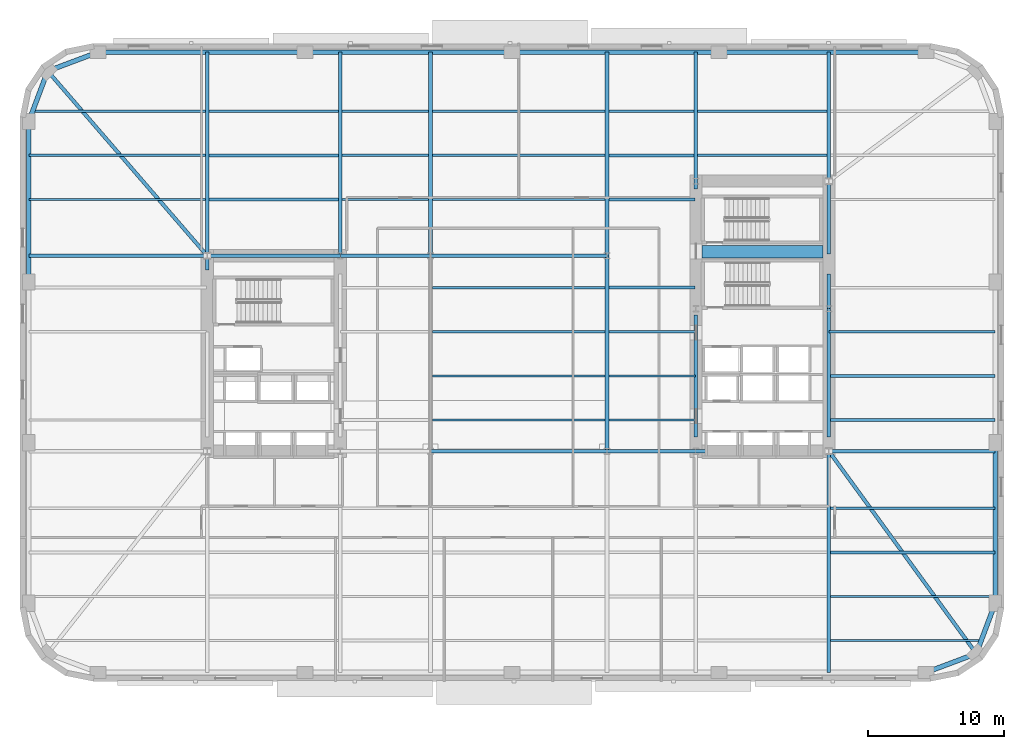
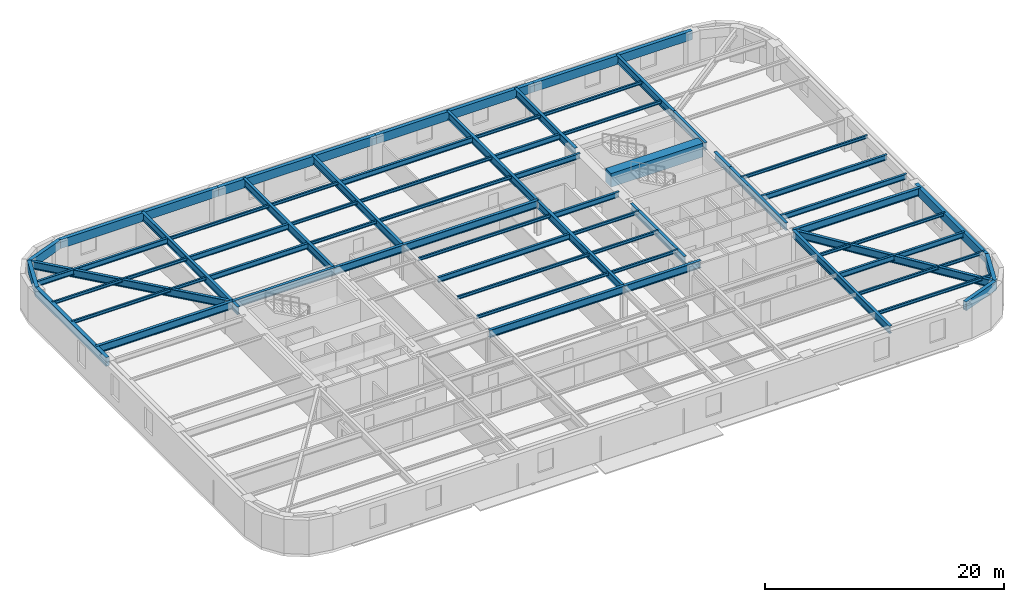
# One storey, part 2 of 14: 64 beams.
"""IFC4 building model written with IfcOpenShell, lengths in metres."""

from ifc_helpers import new_model, si_unit, direction, frame, origin, origin_2d, place, context, subcontext, project, spatial, rectangle, hollow_rectangle, i_section, extrude, material, material_profile, profile_set, type_object, element, save


model = new_model("IFC4")

# Units and contexts
model_context = context("Model", 3, precision=1e-05, world=origin(), true_north=direction((0.0, 1.0)))
body_context = subcontext(model_context, "Body", "Model", "MODEL_VIEW")
ifc_project = project(units=[si_unit("LENGTHUNIT", "METRE"), si_unit("AREAUNIT", "SQUARE_METRE"), si_unit("VOLUMEUNIT", "CUBIC_METRE"), si_unit("PLANEANGLEUNIT", "RADIAN"), si_unit("MASSUNIT", "GRAM", prefix="KILO")], contexts=[model_context])

# Site, building, storey
site_placement = place(None, origin())
site = spatial("IfcSite", under=ifc_project, at=site_placement, CompositionType="ELEMENT")
building_placement = place(site_placement, origin())
building = spatial("IfcBuilding", under=site, at=building_placement, Name="Kolvaren Arena Tower", CompositionType="ELEMENT")
storey_placement = place(building_placement, frame((0.0, 0.0, 57.0)))
storey = spatial("IfcBuildingStorey", under=building, at=storey_placement, Name="L11", CompositionType="ELEMENT", Elevation=57.0)

# Beams
ifc_material_1 = material(Name="Steel CSA G40.21 350W", Category="steel")
ifc_material_profile_1 = material_profile(ifc_material_1, i_section(OverallWidth=0.2119140625, OverallDepth=0.54296875, WebThickness=0.01318359375, FlangeThickness=0.0244140625, FilletRadius=0.013916015625, at=origin_2d()), Name="W530x150")
ifc_profile_set_1 = profile_set([ifc_material_profile_1], Name="Steel CSA G40.21 350W")
beam_type_1 = type_object("IfcBeamType", Name="BEAM-F1", PredefinedType="BEAM", material=ifc_profile_set_1)
beam_1_placement = place(storey_placement, frame((60.485107421875, 12.0, 3.20849609375), z_axis=(1.0, 0.0, 0.0), x_axis=(0.0, 1.0, 0.0)))
element("IfcBeam", 1, at=beam_1_placement, inside=storey, type_object=beam_type_1, Name="Composite Floor Beam (L11)", PredefinedType="BEAM", context=body_context, shape_type="SweptSolid", body=[
    extrude(i_section(OverallWidth=0.2119140625, OverallDepth=0.54296875, WebThickness=0.01318359375, FlangeThickness=0.0244140625, FilletRadius=0.013916015625, at=origin_2d()), origin(), (0.0, 0.0, 1.0), 12.114990234375),
])
for number, where, z_axis, x_axis, name in (
    (2, (60.3701171875, 21.75, 3.20849609375), (1.0, 0.0, 0.0), (0.0, 1.0, 0.0), "Composite Floor Beam (L11)"),
    (3, (60.3701171875, 25.0, 3.20849609375), (1.0, 0.0, 0.0), (0.0, 1.0, 0.0), "Composite Floor Beam (L11)"),
):
    element("IfcBeam", number, at=place(storey_placement, frame(where, z_axis=z_axis, x_axis=x_axis)), inside=storey, type_object=beam_type_1, Name=name, PredefinedType="BEAM", context=body_context, shape_type="SweptSolid", body=[
        extrude(i_section(OverallWidth=0.2119140625, OverallDepth=0.54296875, WebThickness=0.01318359375, FlangeThickness=0.0244140625, FilletRadius=0.013916015625, at=origin_2d()), origin(), (0.0, 0.0, 1.0), 12.22998046875),
    ])
beam_2_placement = place(storey_placement, frame((31.135009765625, 28.25, 3.20849609375), z_axis=(1.0, 0.0, 0.0), x_axis=(0.0, 1.0, 0.0)))
element("IfcBeam", 4, at=beam_2_placement, inside=storey, type_object=beam_type_1, Name="Composite Floor Beam (L11)", PredefinedType="BEAM", context=body_context, shape_type="SweptSolid", body=[
    extrude(i_section(OverallWidth=0.2119140625, OverallDepth=0.54296875, WebThickness=0.01318359375, FlangeThickness=0.0244140625, FilletRadius=0.013916015625, at=origin_2d()), origin(), (0.0, 0.0, 1.0), 12.72998046875),
])
beam_3_placement = place(storey_placement, frame((44.135009765625, 31.5, 3.20849609375), z_axis=(1.0, 0.0, 0.0), x_axis=(0.0, 1.0, 0.0)))
element("IfcBeam", 5, at=beam_3_placement, inside=storey, type_object=beam_type_1, Name="Composite Floor Beam (L11)", PredefinedType="BEAM", context=body_context, shape_type="SweptSolid", body=[
    extrude(i_section(OverallWidth=0.2119140625, OverallDepth=0.54296875, WebThickness=0.01318359375, FlangeThickness=0.0244140625, FilletRadius=0.013916015625, at=origin_2d()), origin(), (0.0, 0.0, 1.0), 6.344970703125),
])
beam_4_placement = place(storey_placement, frame((14.68505859375, 38.0, 3.20849609375), z_axis=(1.0, 0.0, 0.0), x_axis=(0.0, 1.0, 0.0)))
element("IfcBeam", 6, at=beam_4_placement, inside=storey, type_object=beam_type_1, Name="Composite Floor Beam (L11)", PredefinedType="BEAM", context=body_context, shape_type="SweptSolid", body=[
    extrude(i_section(OverallWidth=0.2119140625, OverallDepth=0.54296875, WebThickness=0.01318359375, FlangeThickness=0.0244140625, FilletRadius=0.013916015625, at=origin_2d()), origin(), (0.0, 0.0, 1.0), 9.530029296875),
])
beam_5_placement = place(storey_placement, frame((44.135009765625, 38.0, 3.20849609375), z_axis=(1.0, 0.0, 0.0), x_axis=(0.0, 1.0, 0.0)))
element("IfcBeam", 7, at=beam_5_placement, inside=storey, type_object=beam_type_1, Name="Composite Floor Beam (L11)", PredefinedType="BEAM", context=body_context, shape_type="SweptSolid", body=[
    extrude(i_section(OverallWidth=0.2119140625, OverallDepth=0.54296875, WebThickness=0.01318359375, FlangeThickness=0.0244140625, FilletRadius=0.013916015625, at=origin_2d()), origin(), (0.0, 0.0, 1.0), 6.344970703125),
])
beam_6_placement = place(storey_placement, frame((14.68505859375, 41.25, 3.20849609375), z_axis=(1.0, 0.0, 0.0), x_axis=(0.0, 1.0, 0.0)))
element("IfcBeam", 8, at=beam_6_placement, inside=storey, type_object=beam_type_1, Name="Composite Floor Beam (L11)", PredefinedType="BEAM", context=body_context, shape_type="SweptSolid", body=[
    extrude(i_section(OverallWidth=0.2119140625, OverallDepth=0.54296875, WebThickness=0.01318359375, FlangeThickness=0.0244140625, FilletRadius=0.013916015625, at=origin_2d()), origin(), (0.0, 0.0, 1.0), 9.530029296875),
])
beam_7_placement = place(storey_placement, frame((44.135009765625, 41.25, 3.20849609375), z_axis=(1.0, 0.0, 0.0), x_axis=(0.0, 1.0, 0.0)))
element("IfcBeam", 9, at=beam_7_placement, inside=storey, type_object=beam_type_1, Name="Composite Floor Beam (L11)", PredefinedType="BEAM", context=body_context, shape_type="SweptSolid", body=[
    extrude(i_section(OverallWidth=0.2119140625, OverallDepth=0.54296875, WebThickness=0.01318359375, FlangeThickness=0.0244140625, FilletRadius=0.013916015625, at=origin_2d()), origin(), (0.0, 0.0, 1.0), 6.280029296875),
])
beam_8_placement = place(storey_placement, frame((1.681396484375, 44.5, 3.20849609375), z_axis=(1.0, 0.0, 0.0), x_axis=(0.0, 1.0, 0.0)))
element("IfcBeam", 10, at=beam_8_placement, inside=storey, type_object=beam_type_1, Name="Composite Floor Beam (L11)", PredefinedType="BEAM", context=body_context, shape_type="SweptSolid", body=[
    extrude(i_section(OverallWidth=0.2119140625, OverallDepth=0.54296875, WebThickness=0.01318359375, FlangeThickness=0.0244140625, FilletRadius=0.013916015625, at=origin_2d()), origin(), (0.0, 0.0, 1.0), 12.733642578125),
])
beam_9_placement = place(storey_placement, frame((31.135009765625, 44.5, 3.20849609375), z_axis=(1.0, 0.0, 0.0), x_axis=(0.0, 1.0, 0.0)))
element("IfcBeam", 11, at=beam_9_placement, inside=storey, type_object=beam_type_1, Name="Composite Floor Beam (L11)", PredefinedType="BEAM", context=body_context, shape_type="SweptSolid", body=[
    extrude(i_section(OverallWidth=0.2119140625, OverallDepth=0.54296875, WebThickness=0.01318359375, FlangeThickness=0.0244140625, FilletRadius=0.013916015625, at=origin_2d()), origin(), (0.0, 0.0, 1.0), 12.72998046875),
])
ifc_material_2 = material(Name="Concrete 75 MPa", Category="concrete")
ifc_material_profile_2 = material_profile(ifc_material_2, rectangle(XDim=0.89990234375, YDim=1.39990234375, at=origin_2d()), Name="RC-900x1400")
ifc_profile_set_2 = profile_set([ifc_material_profile_2], Name="Concrete 75 MPa")
beam_type_2 = type_object("IfcBeamType", Name="CB-CORE-1", PredefinedType="BEAM", material=ifc_profile_set_2)
beam_10_placement = place(storey_placement, frame((51.0, 34.14990234375, 3.050048828125), z_axis=(1.0, 0.0, 0.0), x_axis=(0.0, 1.0, 0.0)))
element("IfcBeam", 12, at=beam_10_placement, inside=storey, type_object=beam_type_2, Name="East Core Coupling Beam (L11)", PredefinedType="BEAM", context=body_context, shape_type="SweptSolid", body=[
    extrude(rectangle(XDim=0.89990234375, YDim=1.39990234375, at=origin_2d()), origin(), (0.0, 0.0, 1.0), 8.89990234375),
])
ifc_material_profile_3 = material_profile(ifc_material_1, i_section(OverallWidth=0.27001953125, OverallDepth=0.77294921875, WebThickness=0.019287109375, FlangeThickness=0.033447265625, FilletRadius=0.01806640625, at=origin_2d()), Name="W760x257")
ifc_profile_set_3 = profile_set([ifc_material_profile_3], Name="Steel CSA G40.21 350W")
beam_type_3 = type_object("IfcBeamType", Name="GIRD-T1", PredefinedType="BEAM", material=ifc_profile_set_3)
beam_11_placement = place(storey_placement, frame((71.208740234375, 4.541259765625, 3.093505859375), z_axis=(-0.588737448901, 0.80832432616, 0.0), x_axis=(-0.80832432616, -0.588737448901, 0.0)))
element("IfcBeam", 13, at=beam_11_placement, inside=storey, type_object=beam_type_3, Name="Corner Diagonal Tie Girder (L11)", PredefinedType="BEAM", context=body_context, shape_type="SweptSolid", body=[
    extrude(i_section(OverallWidth=0.27001953125, OverallDepth=0.77294921875, WebThickness=0.019287109375, FlangeThickness=0.033447265625, FilletRadius=0.01806640625, at=origin_2d()), origin(), (0.0, 0.0, 1.0), 18.44384765625),
])
beam_12_placement = place(storey_placement, frame((2.791259765625, 47.458740234375, 3.093505859375), z_axis=(0.653806810332, -0.756661519283, 0.0), x_axis=(0.756661519283, 0.653806810332, 0.0)))
element("IfcBeam", 14, at=beam_12_placement, inside=storey, type_object=beam_type_3, Name="Corner Diagonal Tie Girder (L11)", PredefinedType="BEAM", context=body_context, shape_type="SweptSolid", body=[
    extrude(i_section(OverallWidth=0.27001953125, OverallDepth=0.77294921875, WebThickness=0.019287109375, FlangeThickness=0.033447265625, FilletRadius=0.01806640625, at=origin_2d()), origin(), (0.0, 0.0, 1.0), 17.985107421875),
])
beam_13_placement = place(storey_placement, frame((31.0, 19.449951171875, 3.093505859375), z_axis=(1.0, 0.0, 0.0), x_axis=(0.0, 1.0, 0.0)))
element("IfcBeam", 15, at=beam_13_placement, inside=storey, type_object=beam_type_3, Name="Primary Floor Girder (L11)", PredefinedType="BEAM", context=body_context, shape_type="SweptSolid", body=[
    extrude(i_section(OverallWidth=0.27001953125, OverallDepth=0.77294921875, WebThickness=0.019287109375, FlangeThickness=0.033447265625, FilletRadius=0.01806640625, at=origin_2d()), origin(), (0.0, 0.0, 1.0), 13.0),
])
beam_14_placement = place(storey_placement, frame((44.0, 19.449951171875, 3.093505859375), z_axis=(1.0, 0.0, 0.0), x_axis=(0.0, 1.0, 0.0)))
element("IfcBeam", 16, at=beam_14_placement, inside=storey, type_object=beam_type_3, Name="Primary Floor Girder (L11)", PredefinedType="BEAM", context=body_context, shape_type="SweptSolid", body=[
    extrude(i_section(OverallWidth=0.27001953125, OverallDepth=0.77294921875, WebThickness=0.019287109375, FlangeThickness=0.033447265625, FilletRadius=0.01806640625, at=origin_2d()), origin(), (0.0, 0.0, 1.0), 7.4150390625),
])
beam_15_placement = place(storey_placement, frame((60.35009765625, 19.449951171875, 3.093505859375), z_axis=(1.0, 0.0, 0.0), x_axis=(0.0, 1.0, 0.0)))
element("IfcBeam", 17, at=beam_15_placement, inside=storey, type_object=beam_type_3, Name="Primary Floor Girder (L11)", PredefinedType="BEAM", context=body_context, shape_type="SweptSolid", body=[
    extrude(i_section(OverallWidth=0.27001953125, OverallDepth=0.77294921875, WebThickness=0.019287109375, FlangeThickness=0.033447265625, FilletRadius=0.01806640625, at=origin_2d()), origin(), (0.0, 0.0, 1.0), 12.25),
])
beam_16_placement = place(storey_placement, frame((1.39990234375, 33.85009765625, 3.093505859375), z_axis=(1.0, 0.0, 0.0), x_axis=(0.0, 1.0, 0.0)))
element("IfcBeam", 18, at=beam_16_placement, inside=storey, type_object=beam_type_3, Name="Primary Floor Girder (L11)", PredefinedType="BEAM", context=body_context, shape_type="SweptSolid", body=[
    extrude(i_section(OverallWidth=0.27001953125, OverallDepth=0.77294921875, WebThickness=0.019287109375, FlangeThickness=0.033447265625, FilletRadius=0.01806640625, at=origin_2d()), origin(), (0.0, 0.0, 1.0), 13.150146484375),
])
beam_17_placement = place(storey_placement, frame((14.550048828125, 33.85009765625, 3.093505859375), z_axis=(1.0, 0.0, 0.0), x_axis=(0.0, 1.0, 0.0)))
element("IfcBeam", 19, at=beam_17_placement, inside=storey, type_object=beam_type_3, Name="Primary Floor Girder (L11)", PredefinedType="BEAM", context=body_context, shape_type="SweptSolid", body=[
    extrude(i_section(OverallWidth=0.27001953125, OverallDepth=0.77294921875, WebThickness=0.019287109375, FlangeThickness=0.033447265625, FilletRadius=0.01806640625, at=origin_2d()), origin(), (0.0, 0.0, 1.0), 9.800048828125),
])
beam_18_placement = place(storey_placement, frame((24.35009765625, 33.85009765625, 3.093505859375), z_axis=(1.0, 0.0, 0.0), x_axis=(0.0, 1.0, 0.0)))
element("IfcBeam", 20, at=beam_18_placement, inside=storey, type_object=beam_type_3, Name="Primary Floor Girder (L11)", PredefinedType="BEAM", context=body_context, shape_type="SweptSolid", body=[
    extrude(i_section(OverallWidth=0.27001953125, OverallDepth=0.77294921875, WebThickness=0.019287109375, FlangeThickness=0.033447265625, FilletRadius=0.01806640625, at=origin_2d()), origin(), (0.0, 0.0, 1.0), 6.64990234375),
])
beam_19_placement = place(storey_placement, frame((31.0, 33.85009765625, 3.093505859375), z_axis=(1.0, 0.0, 0.0), x_axis=(0.0, 1.0, 0.0)))
element("IfcBeam", 21, at=beam_19_placement, inside=storey, type_object=beam_type_3, Name="Primary Floor Girder (L11)", PredefinedType="BEAM", context=body_context, shape_type="SweptSolid", body=[
    extrude(i_section(OverallWidth=0.27001953125, OverallDepth=0.77294921875, WebThickness=0.019287109375, FlangeThickness=0.033447265625, FilletRadius=0.01806640625, at=origin_2d()), origin(), (0.0, 0.0, 1.0), 13.0),
])
beam_20_placement = place(storey_placement, frame((14.550048828125, 32.7900390625, 3.093505859375), z_axis=(0.0, 1.0, 0.0), x_axis=(-1.0, 0.0, 0.0)))
element("IfcBeam", 22, at=beam_20_placement, inside=storey, type_object=beam_type_3, Name="Primary Floor Girder (L11)", PredefinedType="BEAM", context=body_context, shape_type="SweptSolid", body=[
    extrude(i_section(OverallWidth=0.27001953125, OverallDepth=0.77294921875, WebThickness=0.019287109375, FlangeThickness=0.033447265625, FilletRadius=0.01806640625, at=origin_2d()), origin(), (0.0, 0.0, 1.0), 16.06005859375),
])
for number, where, z_axis, x_axis, name in (
    (23, (24.35009765625, 33.85009765625, 3.093505859375), (0.0, 1.0, 0.0), (-1.0, 0.0, 0.0), "Primary Floor Girder (L11)"),
    (24, (31.0, 33.85009765625, 3.093505859375), (0.0, 1.0, 0.0), (-1.0, 0.0, 0.0), "Primary Floor Girder (L11)"),
):
    element("IfcBeam", number, at=place(storey_placement, frame(where, z_axis=z_axis, x_axis=x_axis)), inside=storey, type_object=beam_type_3, Name=name, PredefinedType="BEAM", context=body_context, shape_type="SweptSolid", body=[
        extrude(i_section(OverallWidth=0.27001953125, OverallDepth=0.77294921875, WebThickness=0.019287109375, FlangeThickness=0.033447265625, FilletRadius=0.01806640625, at=origin_2d()), origin(), (0.0, 0.0, 1.0), 15.0),
    ])
beam_21_placement = place(storey_placement, frame((44.0, 19.449951171875, 3.093505859375), z_axis=(0.0, 1.0, 0.0), x_axis=(-1.0, 0.0, 0.0)))
element("IfcBeam", 25, at=beam_21_placement, inside=storey, type_object=beam_type_3, Name="Primary Floor Girder (L11)", PredefinedType="BEAM", context=body_context, shape_type="SweptSolid", body=[
    extrude(i_section(OverallWidth=0.27001953125, OverallDepth=0.77294921875, WebThickness=0.019287109375, FlangeThickness=0.033447265625, FilletRadius=0.01806640625, at=origin_2d()), origin(), (0.0, 0.0, 1.0), 14.400146484375),
])
beam_22_placement = place(storey_placement, frame((44.0, 33.85009765625, 3.093505859375), z_axis=(0.0, 1.0, 0.0), x_axis=(-1.0, 0.0, 0.0)))
element("IfcBeam", 26, at=beam_22_placement, inside=storey, type_object=beam_type_3, Name="Primary Floor Girder (L11)", PredefinedType="BEAM", context=body_context, shape_type="SweptSolid", body=[
    extrude(i_section(OverallWidth=0.27001953125, OverallDepth=0.77294921875, WebThickness=0.019287109375, FlangeThickness=0.033447265625, FilletRadius=0.01806640625, at=origin_2d()), origin(), (0.0, 0.0, 1.0), 15.0),
])
beam_23_placement = place(storey_placement, frame((50.550048828125, 20.5, 3.093505859375), z_axis=(0.0, 1.0, 0.0), x_axis=(-1.0, 0.0, 0.0)))
element("IfcBeam", 27, at=beam_23_placement, inside=storey, type_object=beam_type_3, Name="Primary Floor Girder (L11)", PredefinedType="BEAM", context=body_context, shape_type="SweptSolid", body=[
    extrude(i_section(OverallWidth=0.27001953125, OverallDepth=0.77294921875, WebThickness=0.019287109375, FlangeThickness=0.033447265625, FilletRadius=0.01806640625, at=origin_2d()), origin(), (0.0, 0.0, 1.0), 8.989990234375),
])
beam_24_placement = place(storey_placement, frame((50.550048828125, 38.760009765625, 3.093505859375), z_axis=(0.0, 1.0, 0.0), x_axis=(-1.0, 0.0, 0.0)))
element("IfcBeam", 28, at=beam_24_placement, inside=storey, type_object=beam_type_3, Name="Primary Floor Girder (L11)", PredefinedType="BEAM", context=body_context, shape_type="SweptSolid", body=[
    extrude(i_section(OverallWidth=0.27001953125, OverallDepth=0.77294921875, WebThickness=0.019287109375, FlangeThickness=0.033447265625, FilletRadius=0.01806640625, at=origin_2d()), origin(), (0.0, 0.0, 1.0), 10.090087890625),
])
beam_25_placement = place(storey_placement, frame((60.35009765625, 3.14990234375, 3.093505859375), z_axis=(0.0, 1.0, 0.0), x_axis=(-1.0, 0.0, 0.0)))
element("IfcBeam", 29, at=beam_25_placement, inside=storey, type_object=beam_type_3, Name="Primary Floor Girder (L11)", PredefinedType="BEAM", context=body_context, shape_type="SweptSolid", body=[
    extrude(i_section(OverallWidth=0.27001953125, OverallDepth=0.77294921875, WebThickness=0.019287109375, FlangeThickness=0.033447265625, FilletRadius=0.01806640625, at=origin_2d()), origin(), (0.0, 0.0, 1.0), 16.300048828125),
])
beam_26_placement = place(storey_placement, frame((60.35009765625, 20.5, 3.093505859375), z_axis=(0.0, 1.0, 0.0), x_axis=(-1.0, 0.0, 0.0)))
element("IfcBeam", 30, at=beam_26_placement, inside=storey, type_object=beam_type_3, Name="Primary Floor Girder (L11)", PredefinedType="BEAM", context=body_context, shape_type="SweptSolid", body=[
    extrude(i_section(OverallWidth=0.27001953125, OverallDepth=0.77294921875, WebThickness=0.019287109375, FlangeThickness=0.033447265625, FilletRadius=0.01806640625, at=origin_2d()), origin(), (0.0, 0.0, 1.0), 9.449951171875),
])
beam_27_placement = place(storey_placement, frame((60.35009765625, 29.949951171875, 3.093505859375), z_axis=(0.0, 1.0, 0.0), x_axis=(-1.0, 0.0, 0.0)))
element("IfcBeam", 31, at=beam_27_placement, inside=storey, type_object=beam_type_3, Name="Primary Floor Girder (L11)", PredefinedType="BEAM", context=body_context, shape_type="SweptSolid", body=[
    extrude(i_section(OverallWidth=0.27001953125, OverallDepth=0.77294921875, WebThickness=0.019287109375, FlangeThickness=0.033447265625, FilletRadius=0.01806640625, at=origin_2d()), origin(), (0.0, 0.0, 1.0), 2.550048828125),
])
beam_28_placement = place(storey_placement, frame((60.35009765625, 33.985107421875, 3.093505859375), z_axis=(0.0, 1.0, 0.0), x_axis=(-1.0, 0.0, 0.0)))
element("IfcBeam", 32, at=beam_28_placement, inside=storey, type_object=beam_type_3, Name="Primary Floor Girder (L11)", PredefinedType="BEAM", context=body_context, shape_type="SweptSolid", body=[
    extrude(i_section(OverallWidth=0.27001953125, OverallDepth=0.77294921875, WebThickness=0.019287109375, FlangeThickness=0.033447265625, FilletRadius=0.01806640625, at=origin_2d()), origin(), (0.0, 0.0, 1.0), 5.364990234375),
])
beam_29_placement = place(storey_placement, frame((60.35009765625, 39.35009765625, 3.093505859375), z_axis=(0.0, 1.0, 0.0), x_axis=(-1.0, 0.0, 0.0)))
element("IfcBeam", 33, at=beam_29_placement, inside=storey, type_object=beam_type_3, Name="Primary Floor Girder (L11)", PredefinedType="BEAM", context=body_context, shape_type="SweptSolid", body=[
    extrude(i_section(OverallWidth=0.27001953125, OverallDepth=0.77294921875, WebThickness=0.019287109375, FlangeThickness=0.033447265625, FilletRadius=0.01806640625, at=origin_2d()), origin(), (0.0, 0.0, 1.0), 9.5),
])
ifc_material_profile_4 = material_profile(ifc_material_1, i_section(OverallWidth=0.1669921875, OverallDepth=0.31689453125, WebThickness=0.007568359375, FlangeThickness=0.01318359375, FilletRadius=0.010009765625, at=origin_2d()), Name="W310x52")
ifc_profile_set_4 = profile_set([ifc_material_profile_4], Name="Steel CSA G40.21 350W")
beam_type_4 = type_object("IfcBeamType", Name="JOIST-02", PredefinedType="JOIST", material=ifc_profile_set_4)
beam_30_placement = place(storey_placement, frame((60.485107421875, 5.5, 3.321533203125), z_axis=(1.0, 0.0, 0.0), x_axis=(0.0, 1.0, 0.0)))
element("IfcBeam", 34, at=beam_30_placement, inside=storey, type_object=beam_type_4, Name="Composite Floor Joist (L11)", PredefinedType="JOIST", context=body_context, shape_type="SweptSolid", body=[
    extrude(i_section(OverallWidth=0.1669921875, OverallDepth=0.31689453125, WebThickness=0.007568359375, FlangeThickness=0.01318359375, FilletRadius=0.010009765625, at=origin_2d()), origin(), (0.0, 0.0, 1.0), 11.08349609375),
])
for number, where, z_axis, x_axis, name in (
    (35, (60.485107421875, 8.75, 3.321533203125), (1.0, 0.0, 0.0), (0.0, 1.0, 0.0), "Composite Floor Joist (L11)"),
    (36, (60.485107421875, 15.25, 3.321533203125), (1.0, 0.0, 0.0), (0.0, 1.0, 0.0), "Composite Floor Joist (L11)"),
):
    element("IfcBeam", number, at=place(storey_placement, frame(where, z_axis=z_axis, x_axis=x_axis)), inside=storey, type_object=beam_type_4, Name=name, PredefinedType="JOIST", context=body_context, shape_type="SweptSolid", body=[
        extrude(i_section(OverallWidth=0.1669921875, OverallDepth=0.31689453125, WebThickness=0.007568359375, FlangeThickness=0.01318359375, FilletRadius=0.010009765625, at=origin_2d()), origin(), (0.0, 0.0, 1.0), 12.114990234375),
    ])
beam_31_placement = place(storey_placement, frame((31.135009765625, 21.75, 3.321533203125), z_axis=(1.0, 0.0, 0.0), x_axis=(0.0, 1.0, 0.0)))
element("IfcBeam", 37, at=beam_31_placement, inside=storey, type_object=beam_type_4, Name="Composite Floor Joist (L11)", PredefinedType="JOIST", context=body_context, shape_type="SweptSolid", body=[
    extrude(i_section(OverallWidth=0.1669921875, OverallDepth=0.31689453125, WebThickness=0.007568359375, FlangeThickness=0.01318359375, FilletRadius=0.010009765625, at=origin_2d()), origin(), (0.0, 0.0, 1.0), 12.72998046875),
])
beam_32_placement = place(storey_placement, frame((44.135009765625, 21.75, 3.321533203125), z_axis=(1.0, 0.0, 0.0), x_axis=(0.0, 1.0, 0.0)))
element("IfcBeam", 38, at=beam_32_placement, inside=storey, type_object=beam_type_4, Name="Composite Floor Joist (L11)", PredefinedType="JOIST", context=body_context, shape_type="SweptSolid", body=[
    extrude(i_section(OverallWidth=0.1669921875, OverallDepth=0.31689453125, WebThickness=0.007568359375, FlangeThickness=0.01318359375, FilletRadius=0.010009765625, at=origin_2d()), origin(), (0.0, 0.0, 1.0), 6.39501953125),
])
beam_33_placement = place(storey_placement, frame((31.135009765625, 25.0, 3.321533203125), z_axis=(1.0, 0.0, 0.0), x_axis=(0.0, 1.0, 0.0)))
element("IfcBeam", 39, at=beam_33_placement, inside=storey, type_object=beam_type_4, Name="Composite Floor Joist (L11)", PredefinedType="JOIST", context=body_context, shape_type="SweptSolid", body=[
    extrude(i_section(OverallWidth=0.1669921875, OverallDepth=0.31689453125, WebThickness=0.007568359375, FlangeThickness=0.01318359375, FilletRadius=0.010009765625, at=origin_2d()), origin(), (0.0, 0.0, 1.0), 12.72998046875),
])
for number, where, z_axis, x_axis, name in (
    (40, (44.135009765625, 25.0, 3.321533203125), (1.0, 0.0, 0.0), (0.0, 1.0, 0.0), "Composite Floor Joist (L11)"),
    (41, (44.135009765625, 28.25, 3.321533203125), (1.0, 0.0, 0.0), (0.0, 1.0, 0.0), "Composite Floor Joist (L11)"),
):
    element("IfcBeam", number, at=place(storey_placement, frame(where, z_axis=z_axis, x_axis=x_axis)), inside=storey, type_object=beam_type_4, Name=name, PredefinedType="JOIST", context=body_context, shape_type="SweptSolid", body=[
        extrude(i_section(OverallWidth=0.1669921875, OverallDepth=0.31689453125, WebThickness=0.007568359375, FlangeThickness=0.01318359375, FilletRadius=0.010009765625, at=origin_2d()), origin(), (0.0, 0.0, 1.0), 6.39501953125),
    ])
beam_34_placement = place(storey_placement, frame((60.3701171875, 28.25, 3.321533203125), z_axis=(1.0, 0.0, 0.0), x_axis=(0.0, 1.0, 0.0)))
element("IfcBeam", 42, at=beam_34_placement, inside=storey, type_object=beam_type_4, Name="Composite Floor Joist (L11)", PredefinedType="JOIST", context=body_context, shape_type="SweptSolid", body=[
    extrude(i_section(OverallWidth=0.1669921875, OverallDepth=0.31689453125, WebThickness=0.007568359375, FlangeThickness=0.01318359375, FilletRadius=0.010009765625, at=origin_2d()), origin(), (0.0, 0.0, 1.0), 12.22998046875),
])
beam_35_placement = place(storey_placement, frame((31.135009765625, 31.5, 3.321533203125), z_axis=(1.0, 0.0, 0.0), x_axis=(0.0, 1.0, 0.0)))
element("IfcBeam", 43, at=beam_35_placement, inside=storey, type_object=beam_type_4, Name="Composite Floor Joist (L11)", PredefinedType="JOIST", context=body_context, shape_type="SweptSolid", body=[
    extrude(i_section(OverallWidth=0.1669921875, OverallDepth=0.31689453125, WebThickness=0.007568359375, FlangeThickness=0.01318359375, FilletRadius=0.010009765625, at=origin_2d()), origin(), (0.0, 0.0, 1.0), 12.72998046875),
])
beam_36_placement = place(storey_placement, frame((1.39990234375, 38.0, 3.321533203125), z_axis=(1.0, 0.0, 0.0), x_axis=(0.0, 1.0, 0.0)))
element("IfcBeam", 44, at=beam_36_placement, inside=storey, type_object=beam_type_4, Name="Composite Floor Joist (L11)", PredefinedType="JOIST", context=body_context, shape_type="SweptSolid", body=[
    extrude(i_section(OverallWidth=0.1669921875, OverallDepth=0.31689453125, WebThickness=0.007568359375, FlangeThickness=0.01318359375, FilletRadius=0.010009765625, at=origin_2d()), origin(), (0.0, 0.0, 1.0), 13.01513671875),
])
beam_37_placement = place(storey_placement, frame((24.485107421875, 38.0, 3.321533203125), z_axis=(1.0, 0.0, 0.0), x_axis=(0.0, 1.0, 0.0)))
element("IfcBeam", 45, at=beam_37_placement, inside=storey, type_object=beam_type_4, Name="Composite Floor Joist (L11)", PredefinedType="JOIST", context=body_context, shape_type="SweptSolid", body=[
    extrude(i_section(OverallWidth=0.1669921875, OverallDepth=0.31689453125, WebThickness=0.007568359375, FlangeThickness=0.01318359375, FilletRadius=0.010009765625, at=origin_2d()), origin(), (0.0, 0.0, 1.0), 6.3798828125),
])
beam_38_placement = place(storey_placement, frame((31.135009765625, 38.0, 3.321533203125), z_axis=(1.0, 0.0, 0.0), x_axis=(0.0, 1.0, 0.0)))
element("IfcBeam", 46, at=beam_38_placement, inside=storey, type_object=beam_type_4, Name="Composite Floor Joist (L11)", PredefinedType="JOIST", context=body_context, shape_type="SweptSolid", body=[
    extrude(i_section(OverallWidth=0.1669921875, OverallDepth=0.31689453125, WebThickness=0.007568359375, FlangeThickness=0.01318359375, FilletRadius=0.010009765625, at=origin_2d()), origin(), (0.0, 0.0, 1.0), 12.72998046875),
])
beam_39_placement = place(storey_placement, frame((1.39990234375, 41.25, 3.321533203125), z_axis=(1.0, 0.0, 0.0), x_axis=(0.0, 1.0, 0.0)))
element("IfcBeam", 47, at=beam_39_placement, inside=storey, type_object=beam_type_4, Name="Composite Floor Joist (L11)", PredefinedType="JOIST", context=body_context, shape_type="SweptSolid", body=[
    extrude(i_section(OverallWidth=0.1669921875, OverallDepth=0.31689453125, WebThickness=0.007568359375, FlangeThickness=0.01318359375, FilletRadius=0.010009765625, at=origin_2d()), origin(), (0.0, 0.0, 1.0), 13.01513671875),
])
beam_40_placement = place(storey_placement, frame((24.485107421875, 41.25, 3.321533203125), z_axis=(1.0, 0.0, 0.0), x_axis=(0.0, 1.0, 0.0)))
element("IfcBeam", 48, at=beam_40_placement, inside=storey, type_object=beam_type_4, Name="Composite Floor Joist (L11)", PredefinedType="JOIST", context=body_context, shape_type="SweptSolid", body=[
    extrude(i_section(OverallWidth=0.1669921875, OverallDepth=0.31689453125, WebThickness=0.007568359375, FlangeThickness=0.01318359375, FilletRadius=0.010009765625, at=origin_2d()), origin(), (0.0, 0.0, 1.0), 6.3798828125),
])
beam_41_placement = place(storey_placement, frame((31.135009765625, 41.25, 3.321533203125), z_axis=(1.0, 0.0, 0.0), x_axis=(0.0, 1.0, 0.0)))
element("IfcBeam", 49, at=beam_41_placement, inside=storey, type_object=beam_type_4, Name="Composite Floor Joist (L11)", PredefinedType="JOIST", context=body_context, shape_type="SweptSolid", body=[
    extrude(i_section(OverallWidth=0.1669921875, OverallDepth=0.31689453125, WebThickness=0.007568359375, FlangeThickness=0.01318359375, FilletRadius=0.010009765625, at=origin_2d()), origin(), (0.0, 0.0, 1.0), 12.72998046875),
])
for number, where, z_axis, x_axis, name in (
    (50, (50.68505859375, 41.25, 3.321533203125), (1.0, 0.0, 0.0), (0.0, 1.0, 0.0), "Composite Floor Joist (L11)"),
    (51, (14.68505859375, 44.5, 3.321533203125), (1.0, 0.0, 0.0), (0.0, 1.0, 0.0), "Composite Floor Joist (L11)"),
):
    element("IfcBeam", number, at=place(storey_placement, frame(where, z_axis=z_axis, x_axis=x_axis)), inside=storey, type_object=beam_type_4, Name=name, PredefinedType="JOIST", context=body_context, shape_type="SweptSolid", body=[
        extrude(i_section(OverallWidth=0.1669921875, OverallDepth=0.31689453125, WebThickness=0.007568359375, FlangeThickness=0.01318359375, FilletRadius=0.010009765625, at=origin_2d()), origin(), (0.0, 0.0, 1.0), 9.530029296875),
    ])
beam_42_placement = place(storey_placement, frame((24.485107421875, 44.5, 3.321533203125), z_axis=(1.0, 0.0, 0.0), x_axis=(0.0, 1.0, 0.0)))
element("IfcBeam", 52, at=beam_42_placement, inside=storey, type_object=beam_type_4, Name="Composite Floor Joist (L11)", PredefinedType="JOIST", context=body_context, shape_type="SweptSolid", body=[
    extrude(i_section(OverallWidth=0.1669921875, OverallDepth=0.31689453125, WebThickness=0.007568359375, FlangeThickness=0.01318359375, FilletRadius=0.010009765625, at=origin_2d()), origin(), (0.0, 0.0, 1.0), 6.3798828125),
])
beam_43_placement = place(storey_placement, frame((44.135009765625, 44.5, 3.321533203125), z_axis=(1.0, 0.0, 0.0), x_axis=(0.0, 1.0, 0.0)))
element("IfcBeam", 53, at=beam_43_placement, inside=storey, type_object=beam_type_4, Name="Composite Floor Joist (L11)", PredefinedType="JOIST", context=body_context, shape_type="SweptSolid", body=[
    extrude(i_section(OverallWidth=0.1669921875, OverallDepth=0.31689453125, WebThickness=0.007568359375, FlangeThickness=0.01318359375, FilletRadius=0.010009765625, at=origin_2d()), origin(), (0.0, 0.0, 1.0), 6.280029296875),
])
beam_44_placement = place(storey_placement, frame((50.68505859375, 44.5, 3.321533203125), z_axis=(1.0, 0.0, 0.0), x_axis=(0.0, 1.0, 0.0)))
element("IfcBeam", 54, at=beam_44_placement, inside=storey, type_object=beam_type_4, Name="Composite Floor Joist (L11)", PredefinedType="JOIST", context=body_context, shape_type="SweptSolid", body=[
    extrude(i_section(OverallWidth=0.1669921875, OverallDepth=0.31689453125, WebThickness=0.007568359375, FlangeThickness=0.01318359375, FilletRadius=0.010009765625, at=origin_2d()), origin(), (0.0, 0.0, 1.0), 9.530029296875),
])
ifc_material_3 = material(Name="Steel CSA G40.21 350WT", Category="steel")
ifc_material_profile_5 = material_profile(ifc_material_3, hollow_rectangle(XDim=0.35009765625, YDim=0.89990234375, WallThickness=0.02001953125, at=origin_2d()), Name="HSS 900x350x20")
ifc_profile_set_5 = profile_set([ifc_material_profile_5], Name="Steel CSA G40.21 350WT")
beam_type_5 = type_object("IfcBeamType", Name="SPAND-01", PredefinedType="SPANDREL", material=ifc_profile_set_5)
for number, where, z_axis, x_axis, name in (
    (55, (67.5, 3.14990234375, 3.030029296875), (0.93628104365, 0.351251771955, 0.0), (-0.351251771955, 0.93628104365, 0.0), "Perimeter Spandrel Beam (L11)"),
    (56, (71.208740234375, 4.541259765625, 3.030029296875), (0.351251771955, 0.93628104365, 0.0), (-0.93628104365, 0.351251771955, 0.0), "Perimeter Spandrel Beam (L11)"),
):
    element("IfcBeam", number, at=place(storey_placement, frame(where, z_axis=z_axis, x_axis=x_axis)), inside=storey, type_object=beam_type_5, Name=name, PredefinedType="SPANDREL", context=body_context, shape_type="SweptSolid", body=[
        extrude(hollow_rectangle(XDim=0.35009765625, YDim=0.89990234375, WallThickness=0.02001953125, at=origin_2d()), origin(), (0.0, 0.0, 1.0), 3.961181640625),
    ])
beam_45_placement = place(storey_placement, frame((72.60009765625, 8.25, 3.030029296875), z_axis=(0.0, 1.0, 0.0), x_axis=(-1.0, 0.0, 0.0)))
element("IfcBeam", 57, at=beam_45_placement, inside=storey, type_object=beam_type_5, Name="Perimeter Spandrel Beam (L11)", PredefinedType="SPANDREL", context=body_context, shape_type="SweptSolid", body=[
    extrude(hollow_rectangle(XDim=0.35009765625, YDim=0.89990234375, WallThickness=0.02001953125, at=origin_2d()), origin(), (0.0, 0.0, 1.0), 11.833251953125),
])
for number, where, z_axis, x_axis, name in (
    (58, (67.5, 48.85009765625, 3.030029296875), (-1.0, 0.0, 0.0), (0.0, -1.0, 0.0), "Perimeter Spandrel Beam (L11)"),
    (59, (52.25, 48.85009765625, 3.030029296875), (-1.0, 0.0, 0.0), (0.0, -1.0, 0.0), "Perimeter Spandrel Beam (L11)"),
    (60, (37.0, 48.85009765625, 3.030029296875), (-1.0, 0.0, 0.0), (0.0, -1.0, 0.0), "Perimeter Spandrel Beam (L11)"),
    (61, (21.75, 48.85009765625, 3.030029296875), (-1.0, 0.0, 0.0), (0.0, -1.0, 0.0), "Perimeter Spandrel Beam (L11)"),
):
    element("IfcBeam", number, at=place(storey_placement, frame(where, z_axis=z_axis, x_axis=x_axis)), inside=storey, type_object=beam_type_5, Name=name, PredefinedType="SPANDREL", context=body_context, shape_type="SweptSolid", body=[
        extrude(hollow_rectangle(XDim=0.35009765625, YDim=0.89990234375, WallThickness=0.02001953125, at=origin_2d()), origin(), (0.0, 0.0, 1.0), 15.25),
    ])
for number, where, z_axis, x_axis, name in (
    (62, (6.5, 48.85009765625, 3.030029296875), (-0.93628104365, -0.351251771955, 0.0), (0.351251771955, -0.93628104365, 0.0), "Perimeter Spandrel Beam (L11)"),
    (63, (2.791259765625, 47.458740234375, 3.030029296875), (-0.351251771955, -0.93628104365, 0.0), (0.93628104365, -0.351251771955, 0.0), "Perimeter Spandrel Beam (L11)"),
):
    element("IfcBeam", number, at=place(storey_placement, frame(where, z_axis=z_axis, x_axis=x_axis)), inside=storey, type_object=beam_type_5, Name=name, PredefinedType="SPANDREL", context=body_context, shape_type="SweptSolid", body=[
        extrude(hollow_rectangle(XDim=0.35009765625, YDim=0.89990234375, WallThickness=0.02001953125, at=origin_2d()), origin(), (0.0, 0.0, 1.0), 3.961181640625),
    ])
beam_46_placement = place(storey_placement, frame((1.39990234375, 43.75, 3.030029296875), z_axis=(0.0, -1.0, 0.0), x_axis=(1.0, 0.0, 0.0)))
element("IfcBeam", 64, at=beam_46_placement, inside=storey, type_object=beam_type_5, Name="Perimeter Spandrel Beam (L11)", PredefinedType="SPANDREL", context=body_context, shape_type="SweptSolid", body=[
    extrude(hollow_rectangle(XDim=0.35009765625, YDim=0.89990234375, WallThickness=0.02001953125, at=origin_2d()), origin(), (0.0, 0.0, 1.0), 11.833251953125),
])

save(model, "model.ifc")
